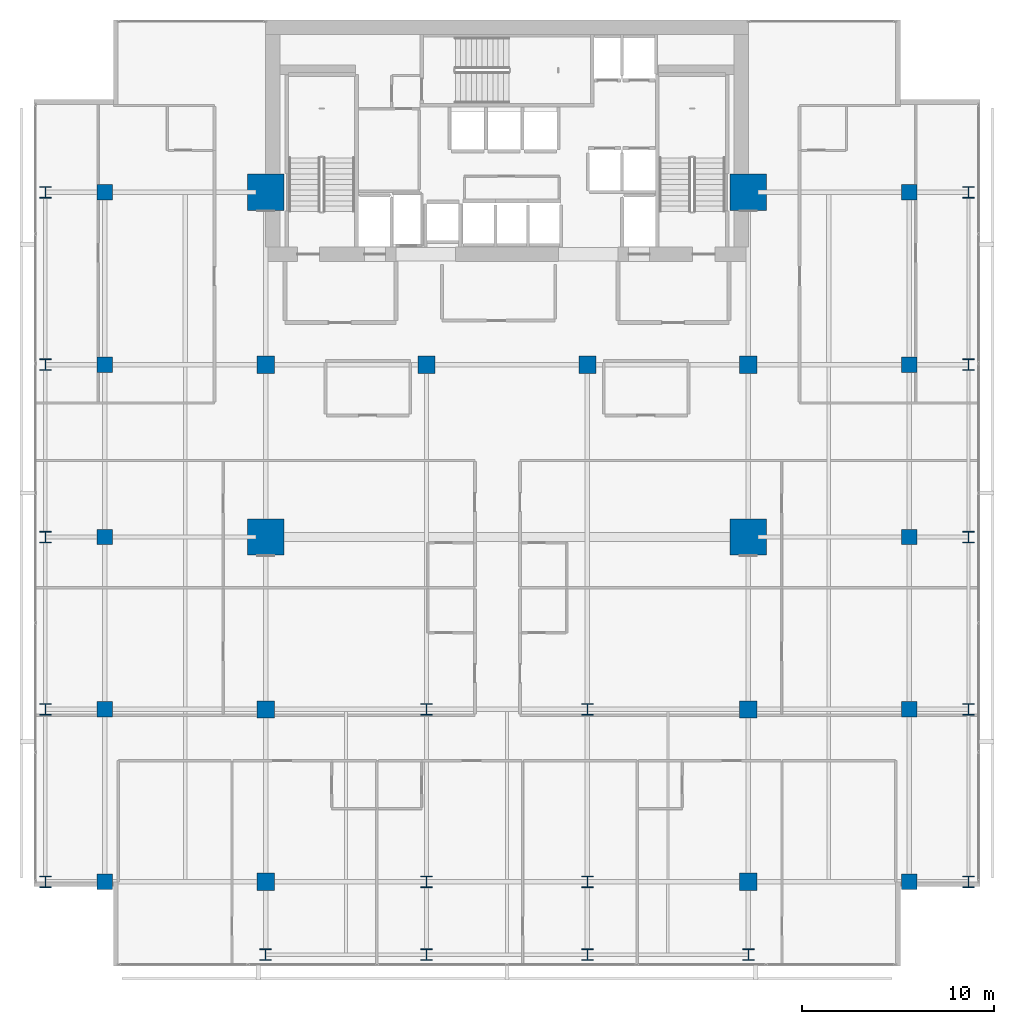
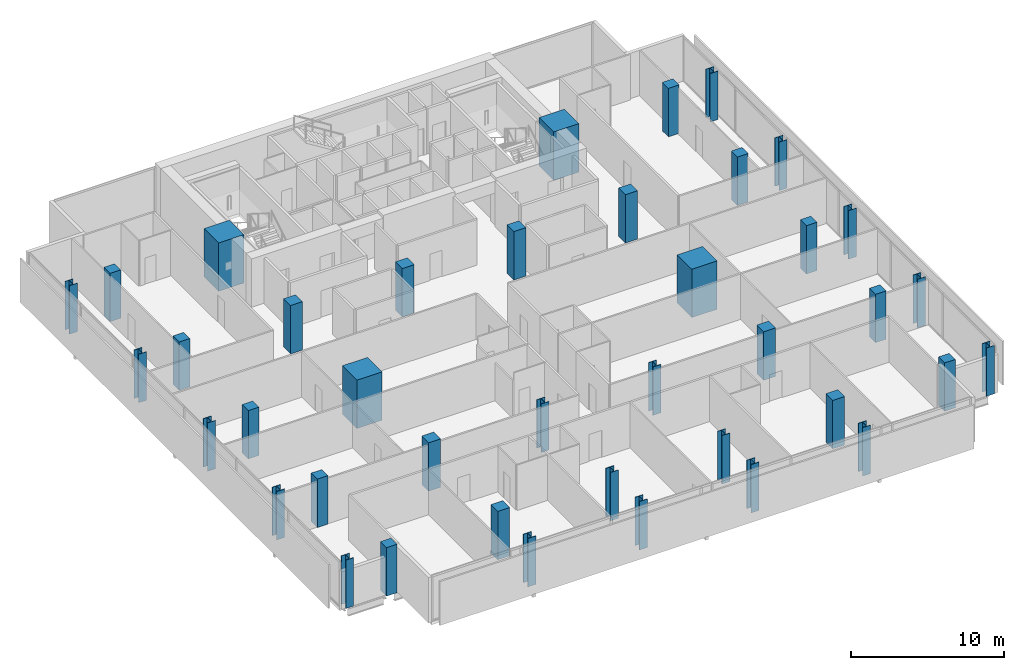
# One storey, part 1 of 32: 40 columns.
"""IFC4 building model written with IfcOpenShell, lengths in metres."""

from ifc_helpers import new_model, si_unit, direction, frame, origin, origin_2d, place, context, subcontext, project, spatial, rectangle, i_section, extrude, material, material_profile, profile_set, type_object, element, save


model = new_model("IFC4")

# Units and contexts
model_context = context("Model", 3, precision=1e-05, world=origin(), true_north=direction((0.0, 1.0)))
body_context = subcontext(model_context, "Body", "Model", "MODEL_VIEW")
ifc_project = project(units=[si_unit("LENGTHUNIT", "METRE"), si_unit("AREAUNIT", "SQUARE_METRE"), si_unit("VOLUMEUNIT", "CUBIC_METRE"), si_unit("PLANEANGLEUNIT", "RADIAN"), si_unit("MASSUNIT", "GRAM", prefix="KILO")], contexts=[model_context])

# Site, building, storey
site_placement = place(None, origin())
site = spatial("IfcSite", under=ifc_project, at=site_placement, CompositionType="ELEMENT")
building_placement = place(site_placement, origin())
building = spatial("IfcBuilding", under=site, at=building_placement, Name="Maruvema Waterfront Hotel and Observation Tower", CompositionType="ELEMENT")
storey_placement = place(building_placement, frame((0.0, 0.0, 162.050048828125)))
storey = spatial("IfcBuildingStorey", under=building, at=storey_placement, Name="L39", CompositionType="ELEMENT", Elevation=162.050048828125)

# Columns
ifc_material_1 = material(Name="Concrete C80/95", Category="concrete")
ifc_material_profile_1 = material_profile(ifc_material_1, rectangle(XDim=1.89990234375, YDim=1.89990234375, at=origin_2d()), Name="MC1900x1900")
ifc_profile_set_1 = profile_set([ifc_material_profile_1], Name="Concrete C80/95")
column_type_1 = type_object("IfcColumnType", Name="Continuous Mega-Column MC1900x1900", PredefinedType="COLUMN", material=ifc_profile_set_1)
for number, where, z_axis, x_axis, name in (
    (1, (25.199951171875, 27.0, 0.0), (0.0, 0.0, 1.0), (1.0, 0.0, 0.0), "L39 Continuous Mega-Column MC-01"),
    (2, (50.39990234375, 27.0, 0.0), (0.0, 0.0, 1.0), (1.0, 0.0, 0.0), "L39 Continuous Mega-Column MC-02"),
    (3, (25.199951171875, 45.0, 0.0), (0.0, 0.0, 1.0), (1.0, 0.0, 0.0), "L39 Continuous Mega-Column MC-03"),
    (4, (50.39990234375, 45.0, 0.0), (0.0, 0.0, 1.0), (1.0, 0.0, 0.0), "L39 Continuous Mega-Column MC-04"),
):
    element("IfcColumn", number, at=place(storey_placement, frame(where, z_axis=z_axis, x_axis=x_axis)), inside=storey, type_object=column_type_1, Name=name, PredefinedType="COLUMN", context=body_context, shape_type="SweptSolid", body=[
        extrude(rectangle(XDim=1.89990234375, YDim=1.89990234375, at=origin_2d()), origin(), (0.0, 0.0, 1.0), 3.849853515625),
    ])
ifc_material_2 = material(Name="Concrete C60/75", Category="concrete")
ifc_material_profile_2 = material_profile(ifc_material_2, rectangle(XDim=0.800048828125, YDim=0.800048828125, at=origin_2d()), Name="RC800x800")
ifc_profile_set_2 = profile_set([ifc_material_profile_2], Name="Concrete C60/75")
column_type_2 = type_object("IfcColumnType", Name="Reinforced Concrete Column RC800x800", PredefinedType="COLUMN", material=ifc_profile_set_2)
for number, where, z_axis, x_axis, name in (
    (5, (16.800048828125, 9.0, 0.0), (0.0, 0.0, 1.0), (1.0, 0.0, 0.0), "L39 Column C-3Y9"),
    (6, (58.800048828125, 9.0, 0.0), (0.0, 0.0, 1.0), (1.0, 0.0, 0.0), "L39 Column C-8Y9"),
    (7, (16.800048828125, 18.0, 0.0), (0.0, 0.0, 1.0), (1.0, 0.0, 0.0), "L39 Column C-3Y18"),
    (8, (58.800048828125, 18.0, 0.0), (0.0, 0.0, 1.0), (1.0, 0.0, 0.0), "L39 Column C-8Y18"),
    (9, (16.800048828125, 27.0, 0.0), (0.0, 0.0, 1.0), (1.0, 0.0, 0.0), "L39 Column C-3Y27"),
    (10, (58.800048828125, 27.0, 0.0), (0.0, 0.0, 1.0), (1.0, 0.0, 0.0), "L39 Column C-8Y27"),
    (11, (16.800048828125, 36.0, 0.0), (0.0, 0.0, 1.0), (1.0, 0.0, 0.0), "L39 Column C-3Y36"),
    (12, (58.800048828125, 36.0, 0.0), (0.0, 0.0, 1.0), (1.0, 0.0, 0.0), "L39 Column C-8Y36"),
    (13, (16.800048828125, 45.0, 0.0), (0.0, 0.0, 1.0), (1.0, 0.0, 0.0), "L39 Column C-3Y45"),
    (14, (58.800048828125, 45.0, 0.0), (0.0, 0.0, 1.0), (1.0, 0.0, 0.0), "L39 Column C-8Y45"),
):
    element("IfcColumn", number, at=place(storey_placement, frame(where, z_axis=z_axis, x_axis=x_axis)), inside=storey, type_object=column_type_2, Name=name, PredefinedType="COLUMN", context=body_context, shape_type="SweptSolid", body=[
        extrude(rectangle(XDim=0.800048828125, YDim=0.800048828125, at=origin_2d()), origin(), (0.0, 0.0, 1.0), 3.849853515625),
    ])
ifc_material_3 = material(Name="Concrete C60/75", Category="concrete")
ifc_material_profile_3 = material_profile(ifc_material_3, rectangle(XDim=0.89990234375, YDim=0.89990234375, at=origin_2d()), Name="RC900x900")
ifc_profile_set_3 = profile_set([ifc_material_profile_3], Name="Concrete C60/75")
column_type_3 = type_object("IfcColumnType", Name="Reinforced Concrete Column RC900x900", PredefinedType="COLUMN", material=ifc_profile_set_3)
for number, where, z_axis, x_axis, name in (
    (15, (25.199951171875, 36.0, 0.0), (0.0, 0.0, 1.0), (1.0, 0.0, 0.0), "L39 Column C-4E"),
    (16, (33.60009765625, 36.0, 0.0), (0.0, 0.0, 1.0), (1.0, 0.0, 0.0), "L39 Column C-5E"),
    (17, (42.0, 36.0, 0.0), (0.0, 0.0, 1.0), (1.0, 0.0, 0.0), "L39 Column C-6E"),
    (18, (50.39990234375, 36.0, 0.0), (0.0, 0.0, 1.0), (1.0, 0.0, 0.0), "L39 Column C-7E"),
    (19, (25.199951171875, 18.0, 0.0), (0.0, 0.0, 1.0), (1.0, 0.0, 0.0), "L39 Column C-4C"),
    (20, (50.39990234375, 18.0, 0.0), (0.0, 0.0, 1.0), (1.0, 0.0, 0.0), "L39 Column C-7C"),
    (21, (25.199951171875, 9.0, 0.0), (0.0, 0.0, 1.0), (1.0, 0.0, 0.0), "L39 Column C-4B"),
    (22, (50.39990234375, 9.0, 0.0), (0.0, 0.0, 1.0), (1.0, 0.0, 0.0), "L39 Column C-7B"),
):
    element("IfcColumn", number, at=place(storey_placement, frame(where, z_axis=z_axis, x_axis=x_axis)), inside=storey, type_object=column_type_3, Name=name, PredefinedType="COLUMN", context=body_context, shape_type="SweptSolid", body=[
        extrude(rectangle(XDim=0.89990234375, YDim=0.89990234375, at=origin_2d()), origin(), (0.0, 0.0, 1.0), 3.849853515625),
    ])
ifc_material_4 = material(Name="Steel ABNT NBR 7007 AR 415 (ASTM A572 Grade 50)", Category="steel")
ifc_material_profile_4 = material_profile(ifc_material_4, i_section(OverallWidth=0.60009765625, OverallDepth=0.60009765625, WebThickness=0.02490234375, FlangeThickness=0.0380859375, at=origin_2d()), Name="CVS600x317")
ifc_profile_set_4 = profile_set([ifc_material_profile_4], Name="Steel ABNT NBR 7007 AR 415 (ASTM A572 Grade 50)")
column_type_4 = type_object("IfcColumnType", Name="Structural Steel Column CVS600x317", PredefinedType="COLUMN", material=ifc_profile_set_4)
for number, where, z_axis, x_axis, name in (
    (23, (33.60009765625, 9.0, 0.0), (0.0, 0.0, 1.0), (1.0, 0.0, 0.0), "L39 Column C-5B"),
    (24, (42.0, 9.0, 0.0), (0.0, 0.0, 1.0), (1.0, 0.0, 0.0), "L39 Column C-6B"),
    (25, (33.60009765625, 18.0, 0.0), (0.0, 0.0, 1.0), (1.0, 0.0, 0.0), "L39 Column C-5C"),
    (26, (42.0, 18.0, 0.0), (0.0, 0.0, 1.0), (1.0, 0.0, 0.0), "L39 Column C-6C"),
    (27, (13.699951171875, 9.0, 0.0), (0.0, 0.0, 1.0), (1.0, 0.0, 0.0), "L39 Column C-Z2W9"),
    (28, (61.89990234375, 9.0, 0.0), (0.0, 0.0, 1.0), (1.0, 0.0, 0.0), "L39 Column C-Z2E9"),
    (29, (13.699951171875, 18.0, 0.0), (0.0, 0.0, 1.0), (1.0, 0.0, 0.0), "L39 Column C-Z2W18"),
    (30, (61.89990234375, 18.0, 0.0), (0.0, 0.0, 1.0), (1.0, 0.0, 0.0), "L39 Column C-Z2E18"),
    (31, (13.699951171875, 27.0, 0.0), (0.0, 0.0, 1.0), (1.0, 0.0, 0.0), "L39 Column C-Z2W27"),
    (32, (61.89990234375, 27.0, 0.0), (0.0, 0.0, 1.0), (1.0, 0.0, 0.0), "L39 Column C-Z2E27"),
    (33, (13.699951171875, 36.0, 0.0), (0.0, 0.0, 1.0), (1.0, 0.0, 0.0), "L39 Column C-Z2W36"),
    (34, (61.89990234375, 36.0, 0.0), (0.0, 0.0, 1.0), (1.0, 0.0, 0.0), "L39 Column C-Z2E36"),
    (35, (13.699951171875, 45.0, 0.0), (0.0, 0.0, 1.0), (1.0, 0.0, 0.0), "L39 Column C-Z2W45"),
    (36, (61.89990234375, 45.0, 0.0), (0.0, 0.0, 1.0), (1.0, 0.0, 0.0), "L39 Column C-Z2E45"),
    (37, (25.199951171875, 5.199951171875, 0.0), (0.0, 0.0, 1.0), (1.0, 0.0, 0.0), "L39 Column C-Z2S4"),
    (38, (33.60009765625, 5.199951171875, 0.0), (0.0, 0.0, 1.0), (1.0, 0.0, 0.0), "L39 Column C-Z2S5"),
    (39, (42.0, 5.199951171875, 0.0), (0.0, 0.0, 1.0), (1.0, 0.0, 0.0), "L39 Column C-Z2S6"),
    (40, (50.39990234375, 5.199951171875, 0.0), (0.0, 0.0, 1.0), (1.0, 0.0, 0.0), "L39 Column C-Z2S7"),
):
    element("IfcColumn", number, at=place(storey_placement, frame(where, z_axis=z_axis, x_axis=x_axis)), inside=storey, type_object=column_type_4, Name=name, PredefinedType="COLUMN", context=body_context, shape_type="SweptSolid", body=[
        extrude(i_section(OverallWidth=0.60009765625, OverallDepth=0.60009765625, WebThickness=0.02490234375, FlangeThickness=0.0380859375, at=origin_2d()), origin(), (0.0, 0.0, 1.0), 3.849853515625),
    ])

save(model, "model.ifc")
